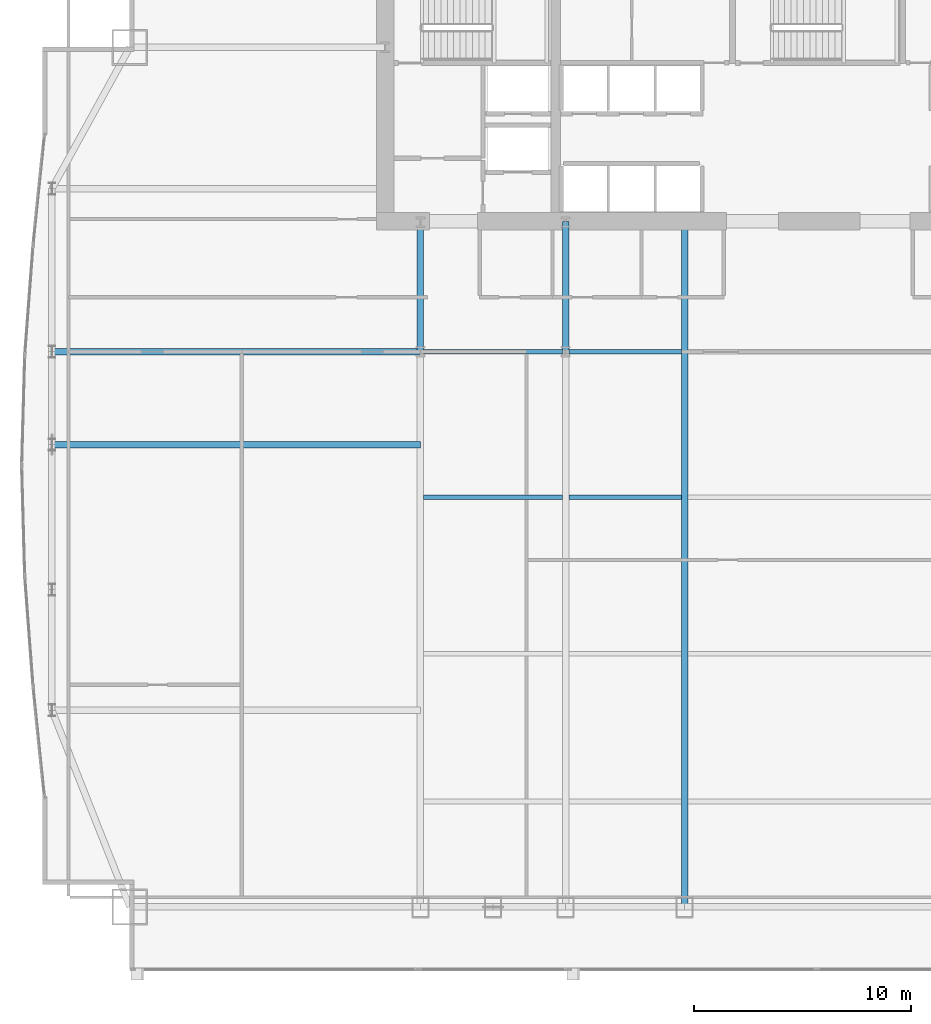
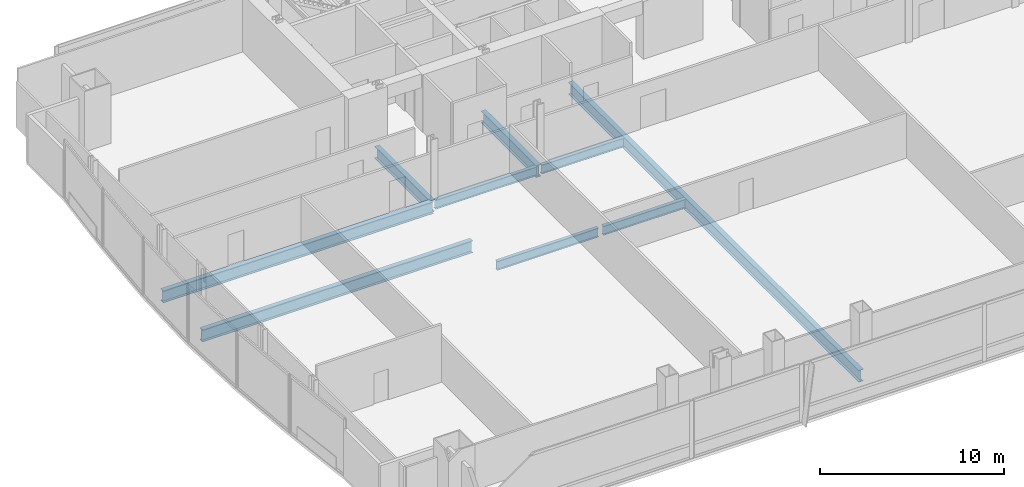
# One storey, part 11 of 33: 9 beams.
"""IFC4 building model written with IfcOpenShell, lengths in metres."""

from ifc_helpers import new_model, si_unit, direction, frame, origin, origin_2d, place, context, subcontext, project, spatial, i_section, extrude, material, material_profile, profile_set, type_object, element, save


model = new_model("IFC4")

# Units and contexts
model_context = context("Model", 3, precision=1e-05, world=origin(), true_north=direction((0.0, 1.0)))
body_context = subcontext(model_context, "Body", "Model", "MODEL_VIEW")
ifc_project = project(units=[si_unit("LENGTHUNIT", "METRE"), si_unit("AREAUNIT", "SQUARE_METRE"), si_unit("VOLUMEUNIT", "CUBIC_METRE"), si_unit("PLANEANGLEUNIT", "RADIAN"), si_unit("MASSUNIT", "GRAM", prefix="KILO")], contexts=[model_context])

# Site, building, storey
site_placement = place(None, origin())
site = spatial("IfcSite", under=ifc_project, at=site_placement, CompositionType="ELEMENT")
building_placement = place(site_placement, origin())
building = spatial("IfcBuilding", under=site, at=building_placement, Name="Khoronbel Lancet Exchange", CompositionType="ELEMENT")
storey_placement = place(building_placement, frame((0.0, 0.0, 33.800048828125)))
storey = spatial("IfcBuildingStorey", under=building, at=storey_placement, Name="L07", CompositionType="ELEMENT", Elevation=33.800048828125)

# Beams
ifc_material = material(Name="Steel S355", Category="steel")
ifc_material_profile_1 = material_profile(ifc_material, i_section(OverallWidth=0.300048828125, OverallDepth=0.800048828125, WebThickness=0.017578125, FlangeThickness=0.032958984375, at=origin_2d()), Name="HEB 800")
ifc_profile_set_1 = profile_set([ifc_material_profile_1], Name="Steel S355")
beam_type_1 = type_object("IfcBeamType", Name="BM-BG2", PredefinedType="BEAM", material=ifc_profile_set_1)
for number, where, z_axis, x_axis, name in (
    (1, (18.22509765625, 35.699951171875, -0.580078125), (0.0, 1.0, 0.0), (-1.0, 0.0, 0.0), "Level L07 spine tie girder GN1"),
    (2, (24.89990234375, 35.699951171875, -0.580078125), (0.0, 1.0, 0.0), (-1.0, 0.0, 0.0), "Level L07 spine tie girder GN2"),
):
    element("IfcBeam", number, at=place(storey_placement, frame(where, z_axis=z_axis, x_axis=x_axis)), inside=storey, type_object=beam_type_1, Name=name, PredefinedType="BEAM", context=body_context, shape_type="SweptSolid", body=[
        extrude(i_section(OverallWidth=0.300048828125, OverallDepth=0.800048828125, WebThickness=0.017578125, FlangeThickness=0.032958984375, at=origin_2d()), origin(), (0.0, 0.0, 1.0), 6.0),
    ])
beam_1_placement = place(storey_placement, frame((30.375, 10.14990234375, -0.580078125), z_axis=(0.0, 1.0, 0.0), x_axis=(-1.0, 0.0, 0.0)))
element("IfcBeam", 3, at=beam_1_placement, inside=storey, type_object=beam_type_1, Name="Level L07 primary floor girder G3", PredefinedType="BEAM", context=body_context, shape_type="SweptSolid", body=[
    extrude(i_section(OverallWidth=0.300048828125, OverallDepth=0.800048828125, WebThickness=0.017578125, FlangeThickness=0.032958984375, at=origin_2d()), origin(), (0.0, 0.0, 1.0), 31.550048828125),
])
for number, where, z_axis, x_axis, name in (
    (4, (1.27001953125, 31.425048828125, -0.580078125), (1.0, 0.0, 0.0), (0.0, 1.0, 0.0), "Level L07 west lens tie girder LG2W"),
    (5, (1.27001953125, 35.699951171875, -0.580078125), (1.0, 0.0, 0.0), (0.0, 1.0, 0.0), "Level L07 west lens tie girder LG4W"),
):
    element("IfcBeam", number, at=place(storey_placement, frame(where, z_axis=z_axis, x_axis=x_axis)), inside=storey, type_object=beam_type_1, Name=name, PredefinedType="BEAM", context=body_context, shape_type="SweptSolid", body=[
        extrude(i_section(OverallWidth=0.300048828125, OverallDepth=0.800048828125, WebThickness=0.017578125, FlangeThickness=0.032958984375, at=origin_2d()), origin(), (0.0, 0.0, 1.0), 16.955078125),
    ])
ifc_material_profile_2 = material_profile(ifc_material, i_section(OverallWidth=0.219970703125, OverallDepth=0.60009765625, WebThickness=0.011962890625, FlangeThickness=0.01904296875, at=origin_2d()), Name="IPE 600")
ifc_profile_set_2 = profile_set([ifc_material_profile_2], Name="Steel S355")
beam_type_2 = type_object("IfcBeamType", Name="BM-BJ1", PredefinedType="JOIST", material=ifc_profile_set_2)
beam_2_placement = place(storey_placement, frame((18.375, 29.0, -0.47998046875), z_axis=(1.0, 0.0, 0.0), x_axis=(0.0, 1.0, 0.0)))
element("IfcBeam", 6, at=beam_2_placement, inside=storey, type_object=beam_type_2, Name="Level L07 secondary composite joist J11", PredefinedType="JOIST", context=body_context, shape_type="SweptSolid", body=[
    extrude(i_section(OverallWidth=0.219970703125, OverallDepth=0.60009765625, WebThickness=0.011962890625, FlangeThickness=0.01904296875, at=origin_2d()), origin(), (0.0, 0.0, 1.0), 6.375),
])
beam_3_placement = place(storey_placement, frame((25.050048828125, 29.0, -0.47998046875), z_axis=(1.0, 0.0, 0.0), x_axis=(0.0, 1.0, 0.0)))
element("IfcBeam", 7, at=beam_3_placement, inside=storey, type_object=beam_type_2, Name="Level L07 secondary composite joist J12", PredefinedType="JOIST", context=body_context, shape_type="SweptSolid", body=[
    extrude(i_section(OverallWidth=0.219970703125, OverallDepth=0.60009765625, WebThickness=0.011962890625, FlangeThickness=0.01904296875, at=origin_2d()), origin(), (0.0, 0.0, 1.0), 5.175048828125),
])
beam_4_placement = place(storey_placement, frame((18.375, 35.699951171875, -0.47998046875), z_axis=(1.0, 0.0, 0.0), x_axis=(0.0, 1.0, 0.0)))
element("IfcBeam", 8, at=beam_4_placement, inside=storey, type_object=beam_type_2, Name="Level L07 secondary composite joist J16", PredefinedType="JOIST", context=body_context, shape_type="SweptSolid", body=[
    extrude(i_section(OverallWidth=0.219970703125, OverallDepth=0.60009765625, WebThickness=0.011962890625, FlangeThickness=0.01904296875, at=origin_2d()), origin(), (0.0, 0.0, 1.0), 6.375),
])
beam_5_placement = place(storey_placement, frame((25.050048828125, 35.699951171875, -0.47998046875), z_axis=(1.0, 0.0, 0.0), x_axis=(0.0, 1.0, 0.0)))
element("IfcBeam", 9, at=beam_5_placement, inside=storey, type_object=beam_type_2, Name="Level L07 secondary composite joist J17", PredefinedType="JOIST", context=body_context, shape_type="SweptSolid", body=[
    extrude(i_section(OverallWidth=0.219970703125, OverallDepth=0.60009765625, WebThickness=0.011962890625, FlangeThickness=0.01904296875, at=origin_2d()), origin(), (0.0, 0.0, 1.0), 5.175048828125),
])

save(model, "model.ifc")
